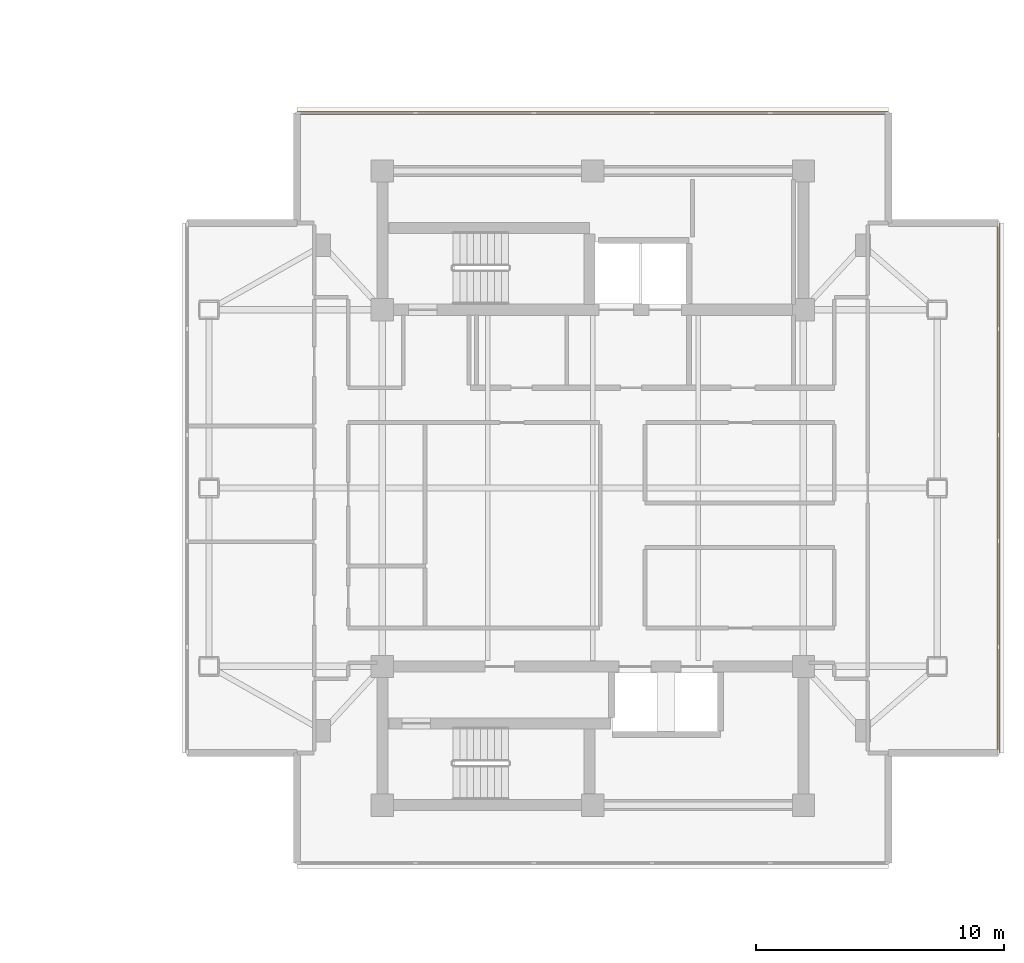
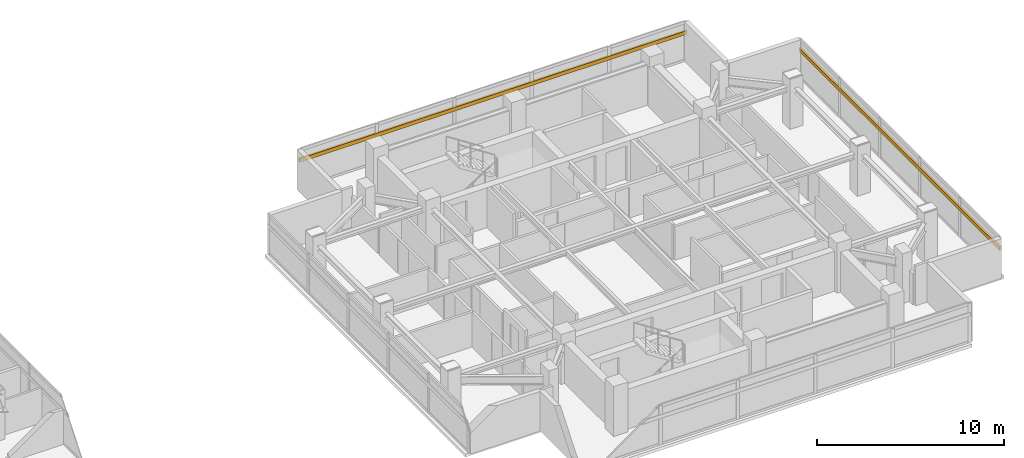
# One storey, part 21 of 21: 2 shading devices.
"""IFC4 building model written with IfcOpenShell, lengths in metres."""

from ifc_helpers import new_model, si_unit, direction, frame, origin, origin_2d, place, context, subcontext, project, spatial, rectangle, extrude, material, material_profile, profile_set, type_object, element, save


model = new_model("IFC4")

# Units and contexts
model_context = context("Model", 3, precision=1e-05, world=origin(), true_north=direction((0.0, 1.0)))
body_context = subcontext(model_context, "Body", "Model", "MODEL_VIEW")
ifc_project = project(units=[si_unit("LENGTHUNIT", "METRE"), si_unit("AREAUNIT", "SQUARE_METRE"), si_unit("VOLUMEUNIT", "CUBIC_METRE"), si_unit("PLANEANGLEUNIT", "RADIAN"), si_unit("MASSUNIT", "GRAM", prefix="KILO")], contexts=[model_context])

# Site, building, storey
site_placement = place(None, origin())
site = spatial("IfcSite", under=ifc_project, at=site_placement, CompositionType="ELEMENT")
building_placement = place(site_placement, origin())
building = spatial("IfcBuilding", under=site, at=building_placement, Name="Mirazonda Arch Towers", CompositionType="ELEMENT")
storey_placement = place(building_placement, frame((0.0, 0.0, 206.39990234375)))
storey = spatial("IfcBuildingStorey", under=building, at=storey_placement, Name="L59", CompositionType="ELEMENT", Elevation=206.39990234375)

# Shading devices
ifc_material = material(Name="Kiln-Fired Architectural Terracotta", Category="masonry")
ifc_material_profile = material_profile(ifc_material, rectangle(XDim=0.1201171875, YDim=0.239990234375, at=origin_2d()), Name="TERRA-BAG-120x240")
ifc_profile_set = profile_set([ifc_material_profile], Name="Kiln-Fired Architectural Terracotta")
shading_device_type = type_object("IfcShadingDeviceType", Name="BAGUETTE-1", PredefinedType="USERDEFINED", material=ifc_profile_set)
shading_device_1_placement = place(storey_placement, frame((92.87744140625, 17.30126953125, 1.857666015625), z_axis=(0.0, 1.0, 0.0), x_axis=(-1.0, 0.0, 0.0)))
element("IfcShadingDevice", 1, at=shading_device_1_placement, inside=storey, type_object=shading_device_type, Name="L59 Glazed Terracotta Sun-Screen Baguette CW-L59-T2-E", ObjectType="BAGUETTE", PredefinedType="USERDEFINED", context=body_context, shape_type="SweptSolid", body=[
    extrude(rectangle(XDim=0.1201171875, YDim=0.239990234375, at=origin_2d()), origin(), (0.0, 0.0, 1.0), 21.3974609375),
])
shading_device_2_placement = place(storey_placement, frame((64.562255859375, 43.138427734375, 1.857666015625), z_axis=(1.0, 0.0, 0.0), x_axis=(0.0, 1.0, 0.0)))
element("IfcShadingDevice", 2, at=shading_device_2_placement, inside=storey, type_object=shading_device_type, Name="L59 Glazed Terracotta Sun-Screen Baguette CW-L59-T2-N", ObjectType="BAGUETTE", PredefinedType="USERDEFINED", context=body_context, shape_type="SweptSolid", body=[
    extrude(rectangle(XDim=0.1201171875, YDim=0.239990234375, at=origin_2d()), origin(), (0.0, 0.0, 1.0), 23.87548828125),
])

save(model, "model.ifc")
